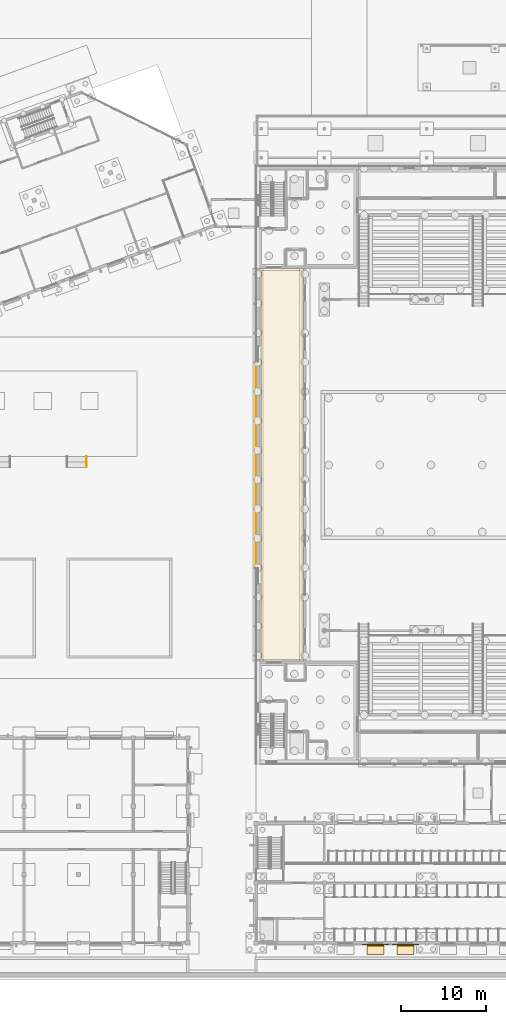
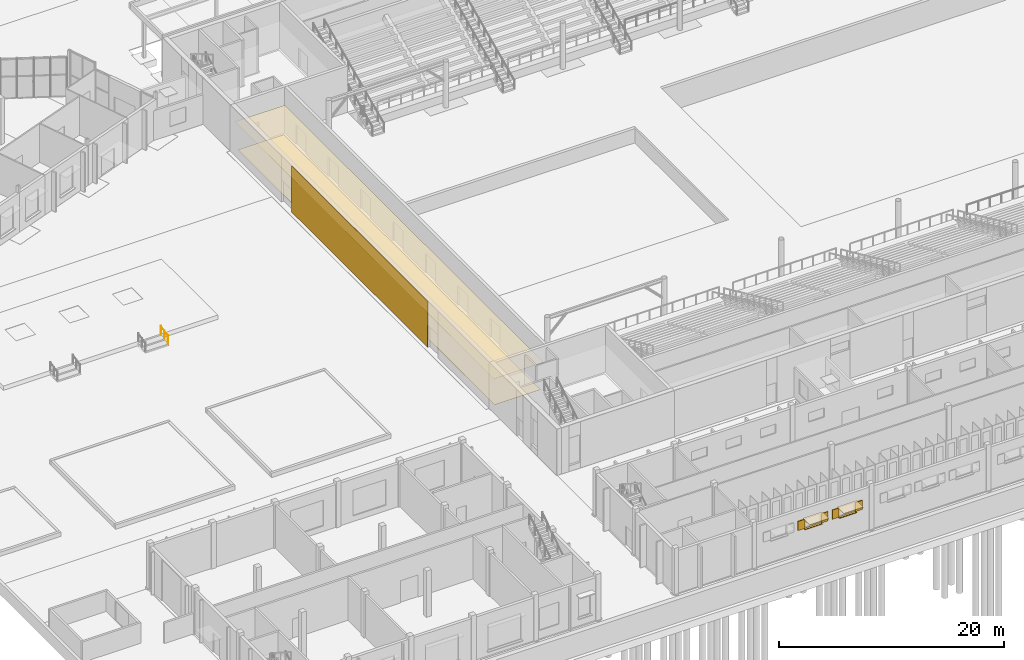
# One storey, part 128 of 157: 7 coverings, 4 shading devices, 1 railing.
"""IFC4 building model written with IfcOpenShell, lengths in metres."""

import ifcopenshell
import ifcopenshell.guid

model = None  # the IFC model being written
_history = None  # IfcOwnerHistory: only IFC2X3 demands one
_inside = {}  # id of a spatial element -> (the spatial element, [elements in it])
_under = {}  # id of a project, library or spatial element -> (it, [spatial elements below it])
_declared = {}  # id of a project -> (the project, [libraries it declares])
_typed = {}  # id of a type object -> (the type object, [elements of that type])
_made_of = {}  # id of a material, layer set ... -> (it, [elements and type objects made of it])


def new_model(schema):
    """Start an empty IFC model of exactly this schema.

    Asked for "IFC4X3", IfcOpenShell would pick the latest addendum, in which some entities
    have other attributes; the version numbers below select the first issue.
    IFC2X3 requires an IfcOwnerHistory on every rooted entity: one is made here for all.
    """
    global model, _history
    if schema == "IFC4X3":
        model = ifcopenshell.file(schema_version=(4, 3, 0, 0))
    else:
        model = ifcopenshell.file(schema=schema)
    _inside.clear()
    _under.clear()
    _declared.clear()
    _typed.clear()
    _made_of.clear()
    _history = None
    if model.schema == "IFC2X3":
        org = make("IfcOrganization", Name="unknown")
        user = make(
            "IfcPersonAndOrganization",
            ThePerson=make("IfcPerson", FamilyName="unknown"),
            TheOrganization=org,
        )
        app = make(
            "IfcApplication",
            ApplicationDeveloper=org,
            Version="unknown",
            ApplicationFullName="unknown",
            ApplicationIdentifier="unknown",
        )
        _history = make(
            "IfcOwnerHistory",
            OwningUser=user,
            OwningApplication=app,
            ChangeAction="ADDED",
            CreationDate=0,
        )
    return model


def make(cls, **values):
    """One entity of the class cls with the attributes given. An attribute that is None is left unset."""
    return model.create_entity(
        cls, **{name: value for name, value in values.items() if value is not None}
    )


def rooted(cls, **values):
    """An entity with a GlobalId (a new one), such as an element, a storey or a relation."""
    return make(cls, GlobalId=ifcopenshell.guid.new(), OwnerHistory=_history, **values)


def si_unit(unit_type, name, prefix=None):
    """IfcSIUnit, for example si_unit("LENGTHUNIT", "METRE", prefix="MILLI")."""
    return make("IfcSIUnit", UnitType=unit_type, Prefix=prefix, Name=name)


def assignment(units):
    """IfcUnitAssignment: the units of a project."""
    return None if units is None else make("IfcUnitAssignment", Units=units)


def point(xyz):
    """IfcCartesianPoint."""
    return None if xyz is None else make("IfcCartesianPoint", Coordinates=xyz)


def direction(xyz):
    """IfcDirection."""
    return None if xyz is None else make("IfcDirection", DirectionRatios=xyz)


def frame(location, z_axis=None, x_axis=None):
    """IfcAxis2Placement3D, a coordinate frame: its origin and axes. An axis left out is left unset."""
    return make(
        "IfcAxis2Placement3D",
        Location=point(location),
        Axis=direction(z_axis),
        RefDirection=direction(x_axis),
    )


def frame_2d(location, x_axis=None):
    """IfcAxis2Placement2D, a coordinate frame in the plane: its origin and x axis."""
    return make(
        "IfcAxis2Placement2D", Location=point(location), RefDirection=direction(x_axis)
    )


def origin():
    """The frame at (0, 0, 0) with its axes left unset."""
    return frame((0.0, 0.0, 0.0))


def origin_2d():
    """The frame at (0, 0) in the plane with its x axis left unset."""
    return frame_2d((0.0, 0.0))


def place(relative_to, where):
    """IfcLocalPlacement: puts the frame where relative to a parent placement (None: the world)."""
    return make(
        "IfcLocalPlacement", PlacementRelTo=relative_to, RelativePlacement=where
    )


def context(
    kind, dimensions, precision=None, world=None, true_north=None, identifier=None
):
    """IfcGeometricRepresentationContext, for example the 3D "Model" context."""
    return make(
        "IfcGeometricRepresentationContext",
        ContextIdentifier=identifier,
        ContextType=kind,
        CoordinateSpaceDimension=dimensions,
        Precision=precision,
        WorldCoordinateSystem=world,
        TrueNorth=true_north,
    )


def subcontext(parent, identifier, kind, view, scale=None):
    """IfcGeometricRepresentationSubContext, for example "Body" below "Model"."""
    return make(
        "IfcGeometricRepresentationSubContext",
        ContextIdentifier=identifier,
        ContextType=kind,
        ParentContext=parent,
        TargetScale=scale,
        TargetView=view,
    )


def project(units=None, contexts=None):
    """IfcProject with its units and contexts."""
    return rooted(
        "IfcProject",
        Name="project",
        RepresentationContexts=contexts,
        UnitsInContext=assignment(units),
    )


def spatial(cls, under=None, at=None, **own):
    """A site, building, storey or space (cls), placed at a placement, below another one or the project."""
    s = rooted(cls, ObjectPlacement=at, **own)
    if under is not None:
        _under.setdefault(under.id(), (under, []))[1].append(s)
    return s


def polyline(points):
    """IfcPolyline through the points."""
    return make("IfcPolyline", Points=[point(p) for p in points])


def profile(cls, at=None, kind="AREA", **sizes):
    """A parametric profile (cls). Its sizes go by their IFC names, for example OverallWidth=200.0."""
    return make(cls, ProfileType=kind, Position=at, **sizes)


def circle(**sizes):
    """IfcCircleProfileDef."""
    return profile("IfcCircleProfileDef", **sizes)


def outline(outer, holes=None, kind="AREA"):
    """IfcArbitraryClosedProfileDef: a profile drawn as a closed curve; with holes, ...WithVoids."""
    if holes is None:
        return make("IfcArbitraryClosedProfileDef", ProfileType=kind, OuterCurve=outer)
    return make(
        "IfcArbitraryProfileDefWithVoids",
        ProfileType=kind,
        OuterCurve=outer,
        InnerCurves=holes,
    )


def extrude(swept, where, along, depth):
    """IfcExtrudedAreaSolid: the profile swept, set in the frame where, extruded along a direction by depth."""
    return make(
        "IfcExtrudedAreaSolid",
        SweptArea=swept,
        Position=where,
        ExtrudedDirection=direction(along),
        Depth=depth,
    )


def shape(context_of_items, identifier, shape_type, items):
    """IfcShapeRepresentation: the items that make up one representation, for example the "Body"."""
    return make(
        "IfcShapeRepresentation",
        ContextOfItems=context_of_items,
        RepresentationIdentifier=identifier,
        RepresentationType=shape_type,
        Items=items,
    )


def material(Name=None, Category=None):
    """IfcMaterial."""
    return make("IfcMaterial", Name=Name, Category=Category)


def layer(
    of_material, thickness, ventilated=None, Name=None, Category=None, Priority=None
):
    """IfcMaterialLayer: one layer of a wall or slab, of a material (None: an air gap)."""
    return make(
        "IfcMaterialLayer",
        Material=of_material,
        LayerThickness=thickness,
        IsVentilated=ventilated,
        Name=Name,
        Category=Category,
        Priority=Priority,
    )


def layer_set(layers, Name=None):
    """IfcMaterialLayerSet."""
    return make("IfcMaterialLayerSet", MaterialLayers=layers, LayerSetName=Name)


def made_of(thing, what):
    """Note that an element or type object is made of a material, layer set ...; save() writes the relation."""
    if what is not None:
        _made_of.setdefault(what.id(), (what, []))[1].append(thing)
    return thing


def type_object(cls, material=None, **own):
    """A type object (cls), such as IfcWallType, which elements share."""
    return made_of(rooted(cls, **own), material)


def element(
    cls,
    number,
    at=None,
    inside=None,
    cuts=None,
    type_object=None,
    material=None,
    context=None,
    identifier="Body",
    shape_type=None,
    held_by="IfcProductDefinitionShape",
    body=None,
    shapes=None,
    **own,
):
    """One element of the class cls, such as IfcWall. Its Tag is "e" and its number.

    at: its placement. inside: the storey or other place that contains it. cuts: it is an
    opening in that element (IfcRelVoidsElement). A single representation is given by context,
    identifier, shape_type and body (its items); several are given by shapes. held_by: the class
    of the entity that holds the representations. save() writes the other relations.
    """
    e = rooted(cls, Tag="e%d" % number, ObjectPlacement=at, **own)
    if body is not None:
        shapes = [shape(context, identifier, shape_type, body)]
    if shapes is not None:
        e.Representation = make(held_by, Representations=shapes)
    if inside is not None:
        _inside.setdefault(inside.id(), (inside, []))[1].append(e)
    if cuts is not None:
        rooted(
            "IfcRelVoidsElement", RelatingBuildingElement=cuts, RelatedOpeningElement=e
        )
    if type_object is not None:
        _typed.setdefault(type_object.id(), (type_object, []))[1].append(e)
    return made_of(e, material)


def aggregate(whole, parts):
    """IfcRelAggregates: a whole, such as a stair, and the parts it consists of."""
    return rooted("IfcRelAggregates", RelatingObject=whole, RelatedObjects=parts)


def save(model, path):
    """Write the relations noted so far, then the file.

    IfcRelAggregates (storeys below a building ...), IfcRelContainedInSpatialStructure (elements
    in a storey), IfcRelDefinesByType, IfcRelAssociatesMaterial and IfcRelDeclares: one each for
    every whole, place, type object, material and project.
    """
    for whole, parts in _under.values():
        aggregate(whole, parts)
    for where, things in _inside.values():
        rooted(
            "IfcRelContainedInSpatialStructure",
            RelatedElements=things,
            RelatingStructure=where,
        )
    for kind, things in _typed.values():
        rooted("IfcRelDefinesByType", RelatedObjects=things, RelatingType=kind)
    for what, things in _made_of.values():
        rooted("IfcRelAssociatesMaterial", RelatedObjects=things, RelatingMaterial=what)
    for by, libraries in _declared.values():
        rooted("IfcRelDeclares", RelatingContext=by, RelatedDefinitions=libraries)
    model.write(path)


model = new_model("IFC4")

# Units and contexts
model_context = context("Model", 3, precision=1e-05, world=origin(), true_north=direction((0.0, 1.0)))
body_context = subcontext(model_context, "Body", "Model", "MODEL_VIEW")
ifc_project = project(units=[si_unit("LENGTHUNIT", "METRE"), si_unit("AREAUNIT", "SQUARE_METRE"), si_unit("VOLUMEUNIT", "CUBIC_METRE"), si_unit("PLANEANGLEUNIT", "RADIAN"), si_unit("MASSUNIT", "GRAM", prefix="KILO")], contexts=[model_context])

# Site, building, storey
site_placement = place(None, origin())
site = spatial("IfcSite", under=ifc_project, at=site_placement, CompositionType="ELEMENT")
building_placement = place(site_placement, origin())
building = spatial("IfcBuilding", under=site, at=building_placement, Name="Windward Yard Aquatics Centre", CompositionType="ELEMENT")
storey_placement = place(building_placement, origin())
storey = spatial("IfcBuildingStorey", under=building, at=storey_placement, Name="L00", CompositionType="ELEMENT", Elevation=0.0)

# Shading devices
ifc_material_1 = material(Name="Aluminium louvre blades, powder coated", Category="aluminium")
ifc_layer_1 = layer(ifc_material_1, 0.080078125)
ifc_layer_set_1 = layer_set([ifc_layer_1], Name="C storm shutter louvred 700x1000")
shading_device_type = type_object("IfcShadingDeviceType", Name="C storm shutter louvred 700x1000", PredefinedType="SHUTTER", material=ifc_layer_set_1)
shading_device_1_placement = place(storey_placement, frame((0.0, 0.0, 2.5)))
element("IfcShadingDevice", 1, at=shading_device_1_placement, inside=storey, type_object=shading_device_type, Name="Storm shutter CW0002L", PredefinedType="SHUTTER", context=body_context, shape_type="SweptSolid", body=[
    extrude(outline(polyline([(64.449951171875, 4.77001953125), (64.449951171875, 4.85009765625), (65.14990234375, 4.85009765625), (65.14990234375, 4.77001953125), (64.449951171875, 4.77001953125)])), origin(), (0.0, 0.0, 1.0), 1.0),
])
shading_device_2_placement = place(storey_placement, frame((0.0, 0.0, 2.5)))
element("IfcShadingDevice", 2, at=shading_device_2_placement, inside=storey, type_object=shading_device_type, Name="Storm shutter CW0002R", PredefinedType="SHUTTER", context=body_context, shape_type="SweptSolid", body=[
    extrude(outline(polyline([(66.85009765625, 4.77001953125), (66.85009765625, 4.85009765625), (67.550048828125, 4.85009765625), (67.550048828125, 4.77001953125), (66.85009765625, 4.77001953125)])), origin(), (0.0, 0.0, 1.0), 1.0),
])
shading_device_3_placement = place(storey_placement, frame((0.0, 0.0, 2.5)))
element("IfcShadingDevice", 3, at=shading_device_3_placement, inside=storey, type_object=shading_device_type, Name="Storm shutter CW0003L", PredefinedType="SHUTTER", context=body_context, shape_type="SweptSolid", body=[
    extrude(outline(polyline([(67.966796875, 4.77001953125), (67.966796875, 4.85009765625), (68.666748046875, 4.85009765625), (68.666748046875, 4.77001953125), (67.966796875, 4.77001953125)])), origin(), (0.0, 0.0, 1.0), 1.0),
])
shading_device_4_placement = place(storey_placement, frame((0.0, 0.0, 2.5)))
element("IfcShadingDevice", 4, at=shading_device_4_placement, inside=storey, type_object=shading_device_type, Name="Storm shutter CW0003R", PredefinedType="SHUTTER", context=body_context, shape_type="SweptSolid", body=[
    extrude(outline(polyline([(70.36669921875, 4.77001953125), (70.36669921875, 4.85009765625), (71.066650390625, 4.85009765625), (71.066650390625, 4.77001953125), (70.36669921875, 4.77001953125)])), origin(), (0.0, 0.0, 1.0), 1.0),
])

# Coverings
ifc_material_2 = material(Name="Aluminium composite hood, powder coated", Category="aluminium")
ifc_layer_2 = layer(ifc_material_2, 0.080078125)
ifc_layer_set_2 = layer_set([ifc_layer_2], Name="C window hood aluminium 2000x1200")
covering_type_1 = type_object("IfcCoveringType", Name="C window hood aluminium 2000x1200", PredefinedType="CLADDING", material=ifc_layer_set_2)
covering_1_placement = place(storey_placement, frame((0.0, 0.0, 3.550048828125)))
element("IfcCovering", 5, at=covering_1_placement, inside=storey, type_object=covering_type_1, Name="Window hood CW0002", PredefinedType="CLADDING", context=body_context, shape_type="SweptSolid", body=[
    extrude(outline(polyline([(65.0, 3.64990234375), (65.0, 4.85009765625), (67.0, 4.85009765625), (67.0, 3.64990234375), (65.0, 3.64990234375)])), origin(), (0.0, 0.0, 1.0), 0.079833984375),
])
covering_2_placement = place(storey_placement, frame((0.0, 0.0, 3.550048828125)))
element("IfcCovering", 6, at=covering_2_placement, inside=storey, type_object=covering_type_1, Name="Window hood CW0003", PredefinedType="CLADDING", context=body_context, shape_type="SweptSolid", body=[
    extrude(outline(polyline([(68.5166015625, 3.64990234375), (68.5166015625, 4.85009765625), (70.5166015625, 4.85009765625), (70.5166015625, 3.64990234375), (68.5166015625, 3.64990234375)])), origin(), (0.0, 0.0, 1.0), 0.079833984375),
])
ifc_material_3 = material(Name="Limestone sill", Category="masonry")
ifc_layer_3 = layer(ifc_material_3, 0.080078125)
ifc_layer_set_3 = layer_set([ifc_layer_3], Name="C window sill stone 1800x200")
covering_type_2 = type_object("IfcCoveringType", Name="C window sill stone 1800x200", PredefinedType="CLADDING", material=ifc_layer_set_3)
covering_3_placement = place(storey_placement, frame((0.0, 0.0, 2.419921875)))
element("IfcCovering", 7, at=covering_3_placement, inside=storey, type_object=covering_type_2, Name="Window sill CW0002", PredefinedType="CLADDING", context=body_context, shape_type="SweptSolid", body=[
    extrude(outline(polyline([(65.10009765625, 4.64990234375), (65.10009765625, 4.85009765625), (66.89990234375, 4.85009765625), (66.89990234375, 4.64990234375), (65.10009765625, 4.64990234375)])), origin(), (0.0, 0.0, 1.0), 0.080078125),
])
covering_4_placement = place(storey_placement, frame((0.0, 0.0, 2.419921875)))
element("IfcCovering", 8, at=covering_4_placement, inside=storey, type_object=covering_type_2, Name="Window sill CW0003", PredefinedType="CLADDING", context=body_context, shape_type="SweptSolid", body=[
    extrude(outline(polyline([(68.61669921875, 4.64990234375), (68.61669921875, 4.85009765625), (70.416748046875, 4.85009765625), (70.416748046875, 4.64990234375), (68.61669921875, 4.64990234375)])), origin(), (0.0, 0.0, 1.0), 0.080078125),
])
ifc_material_4 = material(Name="Polished screed")
ifc_layer_4 = layer(ifc_material_4, 0.0400390625)
ifc_layer_set_4 = layer_set([ifc_layer_4], Name="H Floor Finish Screed 40")
covering_type_3 = type_object("IfcCoveringType", Name="H Floor Finish Screed 40", PredefinedType="FLOORING", material=ifc_layer_set_4)
covering_5_placement = place(storey_placement, origin())
element("IfcCovering", 9, at=covering_5_placement, inside=storey, type_object=covering_type_3, Name="Exit Passage West floor finish", PredefinedType="FLOORING", context=body_context, shape_type="SweptSolid", body=[
    extrude(outline(polyline([(52.64990234375, 38.199951171875), (52.64990234375, 83.800048828125), (57.359619140625, 83.800048828125), (57.359619140625, 38.199951171875), (52.64990234375, 38.199951171875)])), origin(), (0.0, 0.0, 1.0), 0.02001953125),
])
ifc_material_5 = material(Name="Mineral fibre tile")
ifc_layer_5 = layer(ifc_material_5, 0.02001953125)
ifc_layer_set_5 = layer_set([ifc_layer_5], Name="H Suspended Ceiling 600 x 600")
covering_type_4 = type_object("IfcCoveringType", Name="H Suspended Ceiling 600 x 600", PredefinedType="CEILING", material=ifc_layer_set_5)
covering_6_placement = place(storey_placement, frame((0.0, 0.0, 3.0)))
element("IfcCovering", 10, at=covering_6_placement, inside=storey, type_object=covering_type_4, Name="Exit Passage West ceiling", PredefinedType="CEILING", context=body_context, shape_type="SweptSolid", body=[
    extrude(outline(polyline([(52.450439453125, 38.00048828125), (52.450439453125, 83.99951171875), (57.55908203125, 83.99951171875), (57.55908203125, 38.00048828125), (52.450439453125, 38.00048828125)])), origin(), (0.0, 0.0, 1.0), 0.02001953125),
])
ifc_material_6 = material(Name="Natural limestone cladding", Category="masonry")
ifc_layer_6 = layer(ifc_material_6, 0.0400390625)
ifc_layer_set_6 = layer_set([ifc_layer_6], Name="H natural stone cladding 40")
covering_type_5 = type_object("IfcCoveringType", Name="H natural stone cladding 40", PredefinedType="CLADDING", material=ifc_layer_set_6)
covering_7_placement = place(storey_placement, origin())
element("IfcCovering", 11, at=covering_7_placement, inside=storey, type_object=covering_type_5, Name="Stone cladding panel 213", PredefinedType="CLADDING", context=body_context, shape_type="SweptSolid", body=[
    extrude(outline(polyline([(51.9599609375, 48.89990234375), (52.0, 48.89990234375), (52.0, 73.10009765625), (51.9599609375, 73.10009765625), (51.9599609375, 48.89990234375)])), origin(), (0.0, 0.0, 1.0), 5.0),
])

# Railing
ifc_material_7 = material(Name="Stainless steel 1.4529", Category="steel")
railing_type = type_object("IfcRailingType", Name="X Handrail Steel 900", PredefinedType="HANDRAIL", material=ifc_material_7)
railing_placement = place(storey_placement, frame((32.14990234375, 60.75, 0.14990234375)))
element("IfcRailing", 12, at=railing_placement, inside=storey, type_object=railing_type, Name="Learner terrace stair 2 handrail", PredefinedType="HANDRAIL", context=body_context, shape_type="SweptSolid", body=[
    extrude(circle(Radius=0.02392578125, at=origin_2d()), frame((0.0, 0.0, 0.8759765625), z_axis=(0.0, 0.972378681754, 0.233408867163), x_axis=(-1.0, 0.0, 0.0)), (0.0, 0.0, 1.0), 1.285400390625),
    extrude(circle(Radius=0.02099609375, at=origin_2d()), origin(), (0.0, 0.0, 1.0), 0.851806640625),
    extrude(circle(Radius=0.02099609375, at=origin_2d()), frame((0.0, 0.625, 0.14990234375)), (0.0, 0.0, 1.0), 0.851806640625),
    extrude(circle(Radius=0.02099609375, at=origin_2d()), frame((0.0, 1.25, 0.300048828125)), (0.0, 0.0, 1.0), 0.851806640625),
])

save(model, "model.ifc")
